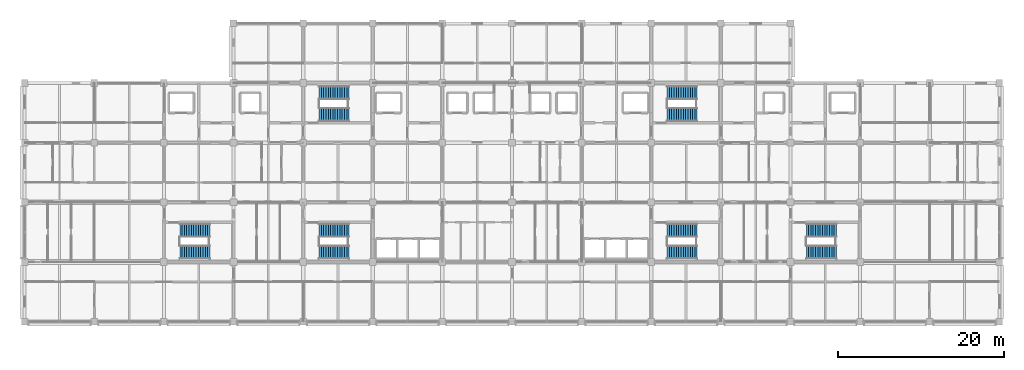
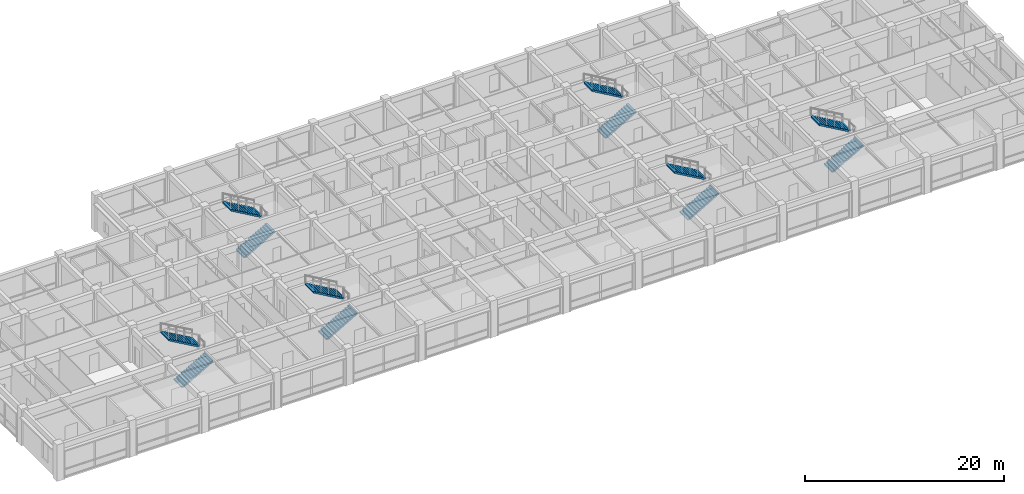
# One storey, part 27 of 30: 12 stair flights, 6 elements without a shape of their own.
"""IFC4 building model written with IfcOpenShell, lengths in metres."""

from ifc_helpers import new_model, si_unit, direction, frame, origin, place, context, subcontext, project, spatial, polyline, outline, extrude, material, type_object, element, aggregate, save


model = new_model("IFC4")

# Units and contexts
model_context = context("Model", 3, precision=1e-05, world=origin(), true_north=direction((0.0, 1.0)))
body_context = subcontext(model_context, "Body", "Model", "MODEL_VIEW")
ifc_project = project(units=[si_unit("LENGTHUNIT", "METRE"), si_unit("AREAUNIT", "SQUARE_METRE"), si_unit("VOLUMEUNIT", "CUBIC_METRE"), si_unit("PLANEANGLEUNIT", "RADIAN"), si_unit("MASSUNIT", "GRAM", prefix="KILO")], contexts=[model_context])

# Site, building, storey
site_placement = place(None, origin())
site = spatial("IfcSite", under=ifc_project, at=site_placement, CompositionType="ELEMENT")
building_placement = place(site_placement, origin())
building = spatial("IfcBuilding", under=site, at=building_placement, Name="Chengyuan Square Courthouse", CompositionType="ELEMENT")
storey_placement = place(building_placement, frame((0.0, 0.0, 30.60009765625)))
storey = spatial("IfcBuildingStorey", under=building, at=storey_placement, Name="L07", CompositionType="ELEMENT", Elevation=30.60009765625)

# Stair, stair flights
ifc_material = material(Name="Concrete C40", Category="concrete")
stair_type_1 = type_object("IfcStairType", Name="ST-TYPE-01", PredefinedType="HALF_TURN_STAIR", material=ifc_material)
stair_1_placement = place(storey_placement, origin())
stair_1 = element("IfcStair", 1, at=stair_1_placement, inside=storey, type_object=stair_type_1, Name="Smoke-Proof Exit Stair ST-1 (L07 to L08)", PredefinedType="HALF_TURN_STAIR")
stair_flight_type_1 = type_object("IfcStairFlightType", Name="STF-TYPE-01", PredefinedType="STRAIGHT", material=ifc_material)
stair_flight_1_placement = place(storey_placement, frame((60.7099609375, 104.175048828125, 0.0), z_axis=(0.0, 0.0, 1.0), x_axis=(1.0, 0.0, 0.0)))
stair_flight_1 = element("IfcStairFlight", 2, at=stair_flight_1_placement, type_object=stair_flight_type_1, Name="ST-1 flight 1", NumberOfRisers=14, NumberOfTreads=13, PredefinedType="STRAIGHT", RiserHeight=0.160714286, TreadLength=0.28, context=body_context, shape_type="SweptSolid", body=[
    extrude(outline(polyline([(0.0, 0.0), (0.0, 0.16064453125), (0.280029296875, 0.16064453125), (0.280029296875, 0.321533203125), (0.56005859375, 0.321533203125), (0.56005859375, 0.482177734375), (0.840087890625, 0.482177734375), (0.840087890625, 0.642822265625), (1.1201171875, 0.642822265625), (1.1201171875, 0.803466796875), (1.39990234375, 0.803466796875), (1.39990234375, 0.96435546875), (1.679931640625, 0.96435546875), (1.679931640625, 1.125), (1.9599609375, 1.125), (1.9599609375, 1.28564453125), (2.239990234375, 1.28564453125), (2.239990234375, 1.446533203125), (2.52001953125, 1.446533203125), (2.52001953125, 1.607177734375), (2.800048828125, 1.607177734375), (2.800048828125, 1.767822265625), (3.080078125, 1.767822265625), (3.080078125, 1.928466796875), (3.360107421875, 1.928466796875), (3.360107421875, 2.08935546875), (3.639892578125, 2.08935546875), (3.639892578125, 2.25), (3.639892578125, 1.91650390625), (0.301025390625, 0.0), (0.0, 0.0)])), frame((0.0, 0.824951171875, 0.0), z_axis=(0.0, -1.0, 0.0), x_axis=(1.0, 0.0, 0.0)), (0.0, 0.0, 1.0), 1.64990234375),
])
stair_flight_2_placement = place(storey_placement, frame((64.35009765625, 106.824951171875, 2.25), z_axis=(0.0, 0.0, 1.0), x_axis=(-1.0, 0.0, 0.0)))
stair_flight_2 = element("IfcStairFlight", 3, at=stair_flight_2_placement, type_object=stair_flight_type_1, Name="ST-1 flight 2", NumberOfRisers=14, NumberOfTreads=13, PredefinedType="STRAIGHT", RiserHeight=0.160714286, TreadLength=0.28, context=body_context, shape_type="SweptSolid", body=[
    extrude(outline(polyline([(0.0, 0.0), (0.0, 0.16064453125), (0.280029296875, 0.16064453125), (0.280029296875, 0.321533203125), (0.56005859375, 0.321533203125), (0.56005859375, 0.482177734375), (0.840087890625, 0.482177734375), (0.840087890625, 0.642822265625), (1.1201171875, 0.642822265625), (1.1201171875, 0.803466796875), (1.39990234375, 0.803466796875), (1.39990234375, 0.96435546875), (1.679931640625, 0.96435546875), (1.679931640625, 1.125), (1.9599609375, 1.125), (1.9599609375, 1.28564453125), (2.239990234375, 1.28564453125), (2.239990234375, 1.446533203125), (2.52001953125, 1.446533203125), (2.52001953125, 1.607177734375), (2.800048828125, 1.607177734375), (2.800048828125, 1.767822265625), (3.080078125, 1.767822265625), (3.080078125, 1.928466796875), (3.360107421875, 1.928466796875), (3.360107421875, 2.08935546875), (3.639892578125, 2.08935546875), (3.639892578125, 2.25), (3.639892578125, 1.91650390625), (0.301025390625, 0.0), (0.0, 0.0)])), frame((0.0, 0.824951171875, 0.0), z_axis=(0.0, -1.0, 0.0), x_axis=(1.0, 0.0, 0.0)), (0.0, 0.0, 1.0), 1.64990234375),
])
aggregate(stair_1, [stair_flight_1, stair_flight_2])

stair_type_2 = type_object("IfcStairType", Name="ST-TYPE-02", PredefinedType="HALF_TURN_STAIR", material=ifc_material)
stair_2_placement = place(storey_placement, origin())
stair_2 = element("IfcStair", 4, at=stair_2_placement, inside=storey, type_object=stair_type_2, Name="Smoke-Proof Exit Stair ST-2 (L07 to L08)", PredefinedType="HALF_TURN_STAIR")
stair_flight_type_2 = type_object("IfcStairFlightType", Name="STF-TYPE-02", PredefinedType="STRAIGHT", material=ifc_material)
stair_flight_3_placement = place(storey_placement, frame((102.7099609375, 104.175048828125, 0.0), z_axis=(0.0, 0.0, 1.0), x_axis=(1.0, 0.0, 0.0)))
stair_flight_3 = element("IfcStairFlight", 5, at=stair_flight_3_placement, type_object=stair_flight_type_2, Name="ST-2 flight 1", NumberOfRisers=14, NumberOfTreads=13, PredefinedType="STRAIGHT", RiserHeight=0.160714286, TreadLength=0.28, context=body_context, shape_type="SweptSolid", body=[
    extrude(outline(polyline([(0.0, 0.0), (0.0, 0.16064453125), (0.280029296875, 0.16064453125), (0.280029296875, 0.321533203125), (0.56005859375, 0.321533203125), (0.56005859375, 0.482177734375), (0.840087890625, 0.482177734375), (0.840087890625, 0.642822265625), (1.1201171875, 0.642822265625), (1.1201171875, 0.803466796875), (1.39990234375, 0.803466796875), (1.39990234375, 0.96435546875), (1.679931640625, 0.96435546875), (1.679931640625, 1.125), (1.9599609375, 1.125), (1.9599609375, 1.28564453125), (2.239990234375, 1.28564453125), (2.239990234375, 1.446533203125), (2.52001953125, 1.446533203125), (2.52001953125, 1.607177734375), (2.800048828125, 1.607177734375), (2.800048828125, 1.767822265625), (3.080078125, 1.767822265625), (3.080078125, 1.928466796875), (3.360107421875, 1.928466796875), (3.360107421875, 2.08935546875), (3.639892578125, 2.08935546875), (3.639892578125, 2.25), (3.639892578125, 1.91650390625), (0.301025390625, 0.0), (0.0, 0.0)])), frame((0.0, 0.824951171875, 0.0), z_axis=(0.0, -1.0, 0.0), x_axis=(1.0, 0.0, 0.0)), (0.0, 0.0, 1.0), 1.64990234375),
])
stair_flight_4_placement = place(storey_placement, frame((106.35009765625, 106.824951171875, 2.25), z_axis=(0.0, 0.0, 1.0), x_axis=(-1.0, 0.0, 0.0)))
stair_flight_4 = element("IfcStairFlight", 6, at=stair_flight_4_placement, type_object=stair_flight_type_2, Name="ST-2 flight 2", NumberOfRisers=14, NumberOfTreads=13, PredefinedType="STRAIGHT", RiserHeight=0.160714286, TreadLength=0.28, context=body_context, shape_type="SweptSolid", body=[
    extrude(outline(polyline([(0.0, 0.0), (0.0, 0.16064453125), (0.280029296875, 0.16064453125), (0.280029296875, 0.321533203125), (0.56005859375, 0.321533203125), (0.56005859375, 0.482177734375), (0.840087890625, 0.482177734375), (0.840087890625, 0.642822265625), (1.1201171875, 0.642822265625), (1.1201171875, 0.803466796875), (1.39990234375, 0.803466796875), (1.39990234375, 0.96435546875), (1.679931640625, 0.96435546875), (1.679931640625, 1.125), (1.9599609375, 1.125), (1.9599609375, 1.28564453125), (2.239990234375, 1.28564453125), (2.239990234375, 1.446533203125), (2.52001953125, 1.446533203125), (2.52001953125, 1.607177734375), (2.800048828125, 1.607177734375), (2.800048828125, 1.767822265625), (3.080078125, 1.767822265625), (3.080078125, 1.928466796875), (3.360107421875, 1.928466796875), (3.360107421875, 2.08935546875), (3.639892578125, 2.08935546875), (3.639892578125, 2.25), (3.639892578125, 1.91650390625), (0.301025390625, 0.0), (0.0, 0.0)])), frame((0.0, 0.824951171875, 0.0), z_axis=(0.0, -1.0, 0.0), x_axis=(1.0, 0.0, 0.0)), (0.0, 0.0, 1.0), 1.64990234375),
])
aggregate(stair_2, [stair_flight_3, stair_flight_4])

stair_type_3 = type_object("IfcStairType", Name="ST-TYPE-03", PredefinedType="HALF_TURN_STAIR", material=ifc_material)
stair_3_placement = place(storey_placement, origin())
stair_3 = element("IfcStair", 7, at=stair_3_placement, inside=storey, type_object=stair_type_3, Name="Smoke-Proof Exit Stair ST-3 (L07 to L08)", PredefinedType="HALF_TURN_STAIR")
stair_flight_type_3 = type_object("IfcStairFlightType", Name="STF-TYPE-03", PredefinedType="STRAIGHT", material=ifc_material)
stair_flight_5_placement = place(storey_placement, frame((60.7099609375, 87.574951171875, 0.0), z_axis=(0.0, 0.0, 1.0), x_axis=(1.0, 0.0, 0.0)))
stair_flight_5 = element("IfcStairFlight", 8, at=stair_flight_5_placement, type_object=stair_flight_type_3, Name="ST-3 flight 1", NumberOfRisers=14, NumberOfTreads=13, PredefinedType="STRAIGHT", RiserHeight=0.160714286, TreadLength=0.28, context=body_context, shape_type="SweptSolid", body=[
    extrude(outline(polyline([(0.0, 0.0), (0.0, 0.16064453125), (0.280029296875, 0.16064453125), (0.280029296875, 0.321533203125), (0.56005859375, 0.321533203125), (0.56005859375, 0.482177734375), (0.840087890625, 0.482177734375), (0.840087890625, 0.642822265625), (1.1201171875, 0.642822265625), (1.1201171875, 0.803466796875), (1.39990234375, 0.803466796875), (1.39990234375, 0.96435546875), (1.679931640625, 0.96435546875), (1.679931640625, 1.125), (1.9599609375, 1.125), (1.9599609375, 1.28564453125), (2.239990234375, 1.28564453125), (2.239990234375, 1.446533203125), (2.52001953125, 1.446533203125), (2.52001953125, 1.607177734375), (2.800048828125, 1.607177734375), (2.800048828125, 1.767822265625), (3.080078125, 1.767822265625), (3.080078125, 1.928466796875), (3.360107421875, 1.928466796875), (3.360107421875, 2.08935546875), (3.639892578125, 2.08935546875), (3.639892578125, 2.25), (3.639892578125, 1.91650390625), (0.301025390625, 0.0), (0.0, 0.0)])), frame((0.0, 0.824951171875, 0.0), z_axis=(0.0, -1.0, 0.0), x_axis=(1.0, 0.0, 0.0)), (0.0, 0.0, 1.0), 1.64990234375),
])
stair_flight_6_placement = place(storey_placement, frame((64.35009765625, 90.22509765625, 2.25), z_axis=(0.0, 0.0, 1.0), x_axis=(-1.0, 0.0, 0.0)))
stair_flight_6 = element("IfcStairFlight", 9, at=stair_flight_6_placement, type_object=stair_flight_type_3, Name="ST-3 flight 2", NumberOfRisers=14, NumberOfTreads=13, PredefinedType="STRAIGHT", RiserHeight=0.160714286, TreadLength=0.28, context=body_context, shape_type="SweptSolid", body=[
    extrude(outline(polyline([(0.0, 0.0), (0.0, 0.16064453125), (0.280029296875, 0.16064453125), (0.280029296875, 0.321533203125), (0.56005859375, 0.321533203125), (0.56005859375, 0.482177734375), (0.840087890625, 0.482177734375), (0.840087890625, 0.642822265625), (1.1201171875, 0.642822265625), (1.1201171875, 0.803466796875), (1.39990234375, 0.803466796875), (1.39990234375, 0.96435546875), (1.679931640625, 0.96435546875), (1.679931640625, 1.125), (1.9599609375, 1.125), (1.9599609375, 1.28564453125), (2.239990234375, 1.28564453125), (2.239990234375, 1.446533203125), (2.52001953125, 1.446533203125), (2.52001953125, 1.607177734375), (2.800048828125, 1.607177734375), (2.800048828125, 1.767822265625), (3.080078125, 1.767822265625), (3.080078125, 1.928466796875), (3.360107421875, 1.928466796875), (3.360107421875, 2.08935546875), (3.639892578125, 2.08935546875), (3.639892578125, 2.25), (3.639892578125, 1.91650390625), (0.301025390625, 0.0), (0.0, 0.0)])), frame((0.0, 0.824951171875, 0.0), z_axis=(0.0, -1.0, 0.0), x_axis=(1.0, 0.0, 0.0)), (0.0, 0.0, 1.0), 1.64990234375),
])
aggregate(stair_3, [stair_flight_5, stair_flight_6])

stair_type_4 = type_object("IfcStairType", Name="ST-TYPE-04", PredefinedType="HALF_TURN_STAIR", material=ifc_material)
stair_4_placement = place(storey_placement, origin())
stair_4 = element("IfcStair", 10, at=stair_4_placement, inside=storey, type_object=stair_type_4, Name="Smoke-Proof Exit Stair ST-4 (L07 to L08)", PredefinedType="HALF_TURN_STAIR")
stair_flight_type_4 = type_object("IfcStairFlightType", Name="STF-TYPE-04", PredefinedType="STRAIGHT", material=ifc_material)
stair_flight_7_placement = place(storey_placement, frame((102.7099609375, 87.574951171875, 0.0), z_axis=(0.0, 0.0, 1.0), x_axis=(1.0, 0.0, 0.0)))
stair_flight_7 = element("IfcStairFlight", 11, at=stair_flight_7_placement, type_object=stair_flight_type_4, Name="ST-4 flight 1", NumberOfRisers=14, NumberOfTreads=13, PredefinedType="STRAIGHT", RiserHeight=0.160714286, TreadLength=0.28, context=body_context, shape_type="SweptSolid", body=[
    extrude(outline(polyline([(0.0, 0.0), (0.0, 0.16064453125), (0.280029296875, 0.16064453125), (0.280029296875, 0.321533203125), (0.56005859375, 0.321533203125), (0.56005859375, 0.482177734375), (0.840087890625, 0.482177734375), (0.840087890625, 0.642822265625), (1.1201171875, 0.642822265625), (1.1201171875, 0.803466796875), (1.39990234375, 0.803466796875), (1.39990234375, 0.96435546875), (1.679931640625, 0.96435546875), (1.679931640625, 1.125), (1.9599609375, 1.125), (1.9599609375, 1.28564453125), (2.239990234375, 1.28564453125), (2.239990234375, 1.446533203125), (2.52001953125, 1.446533203125), (2.52001953125, 1.607177734375), (2.800048828125, 1.607177734375), (2.800048828125, 1.767822265625), (3.080078125, 1.767822265625), (3.080078125, 1.928466796875), (3.360107421875, 1.928466796875), (3.360107421875, 2.08935546875), (3.639892578125, 2.08935546875), (3.639892578125, 2.25), (3.639892578125, 1.91650390625), (0.301025390625, 0.0), (0.0, 0.0)])), frame((0.0, 0.824951171875, 0.0), z_axis=(0.0, -1.0, 0.0), x_axis=(1.0, 0.0, 0.0)), (0.0, 0.0, 1.0), 1.64990234375),
])
stair_flight_8_placement = place(storey_placement, frame((106.35009765625, 90.22509765625, 2.25), z_axis=(0.0, 0.0, 1.0), x_axis=(-1.0, 0.0, 0.0)))
stair_flight_8 = element("IfcStairFlight", 12, at=stair_flight_8_placement, type_object=stair_flight_type_4, Name="ST-4 flight 2", NumberOfRisers=14, NumberOfTreads=13, PredefinedType="STRAIGHT", RiserHeight=0.160714286, TreadLength=0.28, context=body_context, shape_type="SweptSolid", body=[
    extrude(outline(polyline([(0.0, 0.0), (0.0, 0.16064453125), (0.280029296875, 0.16064453125), (0.280029296875, 0.321533203125), (0.56005859375, 0.321533203125), (0.56005859375, 0.482177734375), (0.840087890625, 0.482177734375), (0.840087890625, 0.642822265625), (1.1201171875, 0.642822265625), (1.1201171875, 0.803466796875), (1.39990234375, 0.803466796875), (1.39990234375, 0.96435546875), (1.679931640625, 0.96435546875), (1.679931640625, 1.125), (1.9599609375, 1.125), (1.9599609375, 1.28564453125), (2.239990234375, 1.28564453125), (2.239990234375, 1.446533203125), (2.52001953125, 1.446533203125), (2.52001953125, 1.607177734375), (2.800048828125, 1.607177734375), (2.800048828125, 1.767822265625), (3.080078125, 1.767822265625), (3.080078125, 1.928466796875), (3.360107421875, 1.928466796875), (3.360107421875, 2.08935546875), (3.639892578125, 2.08935546875), (3.639892578125, 2.25), (3.639892578125, 1.91650390625), (0.301025390625, 0.0), (0.0, 0.0)])), frame((0.0, 0.824951171875, 0.0), z_axis=(0.0, -1.0, 0.0), x_axis=(1.0, 0.0, 0.0)), (0.0, 0.0, 1.0), 1.64990234375),
])
aggregate(stair_4, [stair_flight_7, stair_flight_8])

stair_type_5 = type_object("IfcStairType", Name="ST-TYPE-05", PredefinedType="HALF_TURN_STAIR", material=ifc_material)
stair_5_placement = place(storey_placement, origin())
stair_5 = element("IfcStair", 13, at=stair_5_placement, inside=storey, type_object=stair_type_5, Name="Smoke-Proof Exit Stair ST-5 (L07 to L08)", PredefinedType="HALF_TURN_STAIR")
stair_flight_type_5 = type_object("IfcStairFlightType", Name="STF-TYPE-05", PredefinedType="STRAIGHT", material=ifc_material)
stair_flight_9_placement = place(storey_placement, frame((43.909912109375, 87.574951171875, 0.0), z_axis=(0.0, 0.0, 1.0), x_axis=(1.0, 0.0, 0.0)))
stair_flight_9 = element("IfcStairFlight", 14, at=stair_flight_9_placement, type_object=stair_flight_type_5, Name="ST-5 flight 1", NumberOfRisers=14, NumberOfTreads=13, PredefinedType="STRAIGHT", RiserHeight=0.160714286, TreadLength=0.28, context=body_context, shape_type="SweptSolid", body=[
    extrude(outline(polyline([(0.0, 0.0), (0.0, 0.16064453125), (0.280029296875, 0.16064453125), (0.280029296875, 0.321533203125), (0.56005859375, 0.321533203125), (0.56005859375, 0.482177734375), (0.840087890625, 0.482177734375), (0.840087890625, 0.642822265625), (1.1201171875, 0.642822265625), (1.1201171875, 0.803466796875), (1.39990234375, 0.803466796875), (1.39990234375, 0.96435546875), (1.679931640625, 0.96435546875), (1.679931640625, 1.125), (1.9599609375, 1.125), (1.9599609375, 1.28564453125), (2.239990234375, 1.28564453125), (2.239990234375, 1.446533203125), (2.52001953125, 1.446533203125), (2.52001953125, 1.607177734375), (2.800048828125, 1.607177734375), (2.800048828125, 1.767822265625), (3.080078125, 1.767822265625), (3.080078125, 1.928466796875), (3.360107421875, 1.928466796875), (3.360107421875, 2.08935546875), (3.639892578125, 2.08935546875), (3.639892578125, 2.25), (3.639892578125, 1.91650390625), (0.301025390625, 0.0), (0.0, 0.0)])), frame((0.0, 0.824951171875, 0.0), z_axis=(0.0, -1.0, 0.0), x_axis=(1.0, 0.0, 0.0)), (0.0, 0.0, 1.0), 1.64990234375),
])
stair_flight_10_placement = place(storey_placement, frame((47.550048828125, 90.22509765625, 2.25), z_axis=(0.0, 0.0, 1.0), x_axis=(-1.0, 0.0, 0.0)))
stair_flight_10 = element("IfcStairFlight", 15, at=stair_flight_10_placement, type_object=stair_flight_type_5, Name="ST-5 flight 2", NumberOfRisers=14, NumberOfTreads=13, PredefinedType="STRAIGHT", RiserHeight=0.160714286, TreadLength=0.28, context=body_context, shape_type="SweptSolid", body=[
    extrude(outline(polyline([(0.0, 0.0), (0.0, 0.16064453125), (0.280029296875, 0.16064453125), (0.280029296875, 0.321533203125), (0.56005859375, 0.321533203125), (0.56005859375, 0.482177734375), (0.840087890625, 0.482177734375), (0.840087890625, 0.642822265625), (1.1201171875, 0.642822265625), (1.1201171875, 0.803466796875), (1.39990234375, 0.803466796875), (1.39990234375, 0.96435546875), (1.679931640625, 0.96435546875), (1.679931640625, 1.125), (1.9599609375, 1.125), (1.9599609375, 1.28564453125), (2.239990234375, 1.28564453125), (2.239990234375, 1.446533203125), (2.52001953125, 1.446533203125), (2.52001953125, 1.607177734375), (2.800048828125, 1.607177734375), (2.800048828125, 1.767822265625), (3.080078125, 1.767822265625), (3.080078125, 1.928466796875), (3.360107421875, 1.928466796875), (3.360107421875, 2.08935546875), (3.639892578125, 2.08935546875), (3.639892578125, 2.25), (3.639892578125, 1.91650390625), (0.301025390625, 0.0), (0.0, 0.0)])), frame((0.0, 0.824951171875, 0.0), z_axis=(0.0, -1.0, 0.0), x_axis=(1.0, 0.0, 0.0)), (0.0, 0.0, 1.0), 1.64990234375),
])
aggregate(stair_5, [stair_flight_9, stair_flight_10])

stair_type_6 = type_object("IfcStairType", Name="ST-TYPE-06", PredefinedType="HALF_TURN_STAIR", material=ifc_material)
stair_6_placement = place(storey_placement, origin())
stair_6 = element("IfcStair", 16, at=stair_6_placement, inside=storey, type_object=stair_type_6, Name="Smoke-Proof Exit Stair ST-6 (L07 to L08)", PredefinedType="HALF_TURN_STAIR")
stair_flight_type_6 = type_object("IfcStairFlightType", Name="STF-TYPE-06", PredefinedType="STRAIGHT", material=ifc_material)
stair_flight_11_placement = place(storey_placement, frame((119.510009765625, 87.574951171875, 0.0), z_axis=(0.0, 0.0, 1.0), x_axis=(1.0, 0.0, 0.0)))
stair_flight_11 = element("IfcStairFlight", 17, at=stair_flight_11_placement, type_object=stair_flight_type_6, Name="ST-6 flight 1", NumberOfRisers=14, NumberOfTreads=13, PredefinedType="STRAIGHT", RiserHeight=0.160714286, TreadLength=0.28, context=body_context, shape_type="SweptSolid", body=[
    extrude(outline(polyline([(0.0, 0.0), (0.0, 0.16064453125), (0.280029296875, 0.16064453125), (0.280029296875, 0.321533203125), (0.56005859375, 0.321533203125), (0.56005859375, 0.482177734375), (0.840087890625, 0.482177734375), (0.840087890625, 0.642822265625), (1.1201171875, 0.642822265625), (1.1201171875, 0.803466796875), (1.39990234375, 0.803466796875), (1.39990234375, 0.96435546875), (1.679931640625, 0.96435546875), (1.679931640625, 1.125), (1.9599609375, 1.125), (1.9599609375, 1.28564453125), (2.239990234375, 1.28564453125), (2.239990234375, 1.446533203125), (2.52001953125, 1.446533203125), (2.52001953125, 1.607177734375), (2.800048828125, 1.607177734375), (2.800048828125, 1.767822265625), (3.080078125, 1.767822265625), (3.080078125, 1.928466796875), (3.360107421875, 1.928466796875), (3.360107421875, 2.08935546875), (3.639892578125, 2.08935546875), (3.639892578125, 2.25), (3.639892578125, 1.91650390625), (0.301025390625, 0.0), (0.0, 0.0)])), frame((0.0, 0.824951171875, 0.0), z_axis=(0.0, -1.0, 0.0), x_axis=(1.0, 0.0, 0.0)), (0.0, 0.0, 1.0), 1.64990234375),
])
stair_flight_12_placement = place(storey_placement, frame((123.14990234375, 90.22509765625, 2.25), z_axis=(0.0, 0.0, 1.0), x_axis=(-1.0, 0.0, 0.0)))
stair_flight_12 = element("IfcStairFlight", 18, at=stair_flight_12_placement, type_object=stair_flight_type_6, Name="ST-6 flight 2", NumberOfRisers=14, NumberOfTreads=13, PredefinedType="STRAIGHT", RiserHeight=0.160714286, TreadLength=0.28, context=body_context, shape_type="SweptSolid", body=[
    extrude(outline(polyline([(0.0, 0.0), (0.0, 0.16064453125), (0.280029296875, 0.16064453125), (0.280029296875, 0.321533203125), (0.56005859375, 0.321533203125), (0.56005859375, 0.482177734375), (0.840087890625, 0.482177734375), (0.840087890625, 0.642822265625), (1.1201171875, 0.642822265625), (1.1201171875, 0.803466796875), (1.39990234375, 0.803466796875), (1.39990234375, 0.96435546875), (1.679931640625, 0.96435546875), (1.679931640625, 1.125), (1.9599609375, 1.125), (1.9599609375, 1.28564453125), (2.239990234375, 1.28564453125), (2.239990234375, 1.446533203125), (2.52001953125, 1.446533203125), (2.52001953125, 1.607177734375), (2.800048828125, 1.607177734375), (2.800048828125, 1.767822265625), (3.080078125, 1.767822265625), (3.080078125, 1.928466796875), (3.360107421875, 1.928466796875), (3.360107421875, 2.08935546875), (3.639892578125, 2.08935546875), (3.639892578125, 2.25), (3.639892578125, 1.91650390625), (0.301025390625, 0.0), (0.0, 0.0)])), frame((0.0, 0.824951171875, 0.0), z_axis=(0.0, -1.0, 0.0), x_axis=(1.0, 0.0, 0.0)), (0.0, 0.0, 1.0), 1.64990234375),
])
aggregate(stair_6, [stair_flight_11, stair_flight_12])

save(model, "model.ifc")
